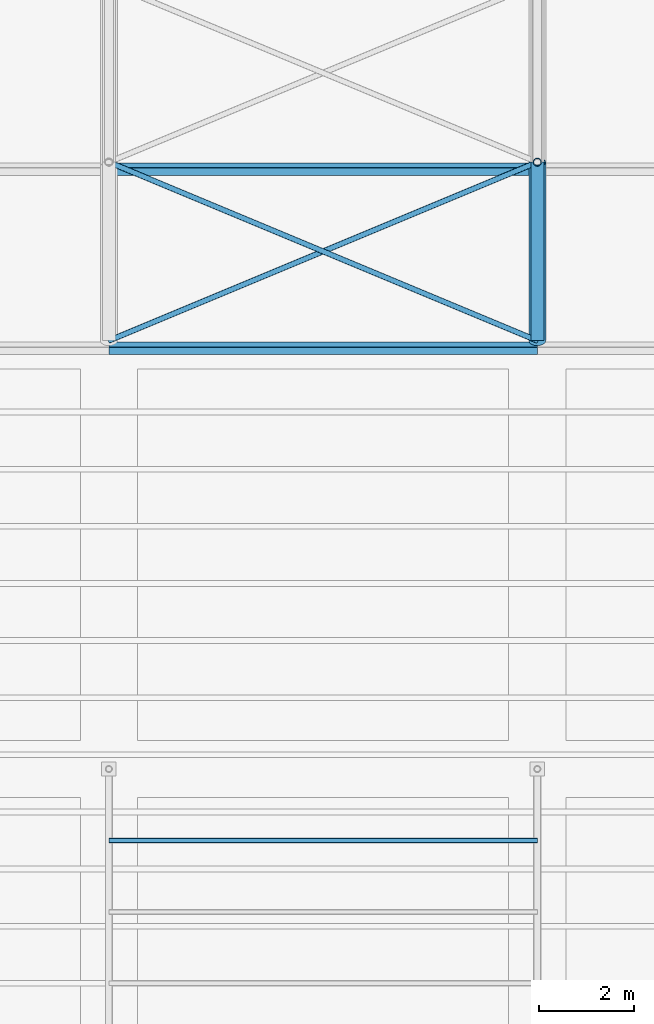
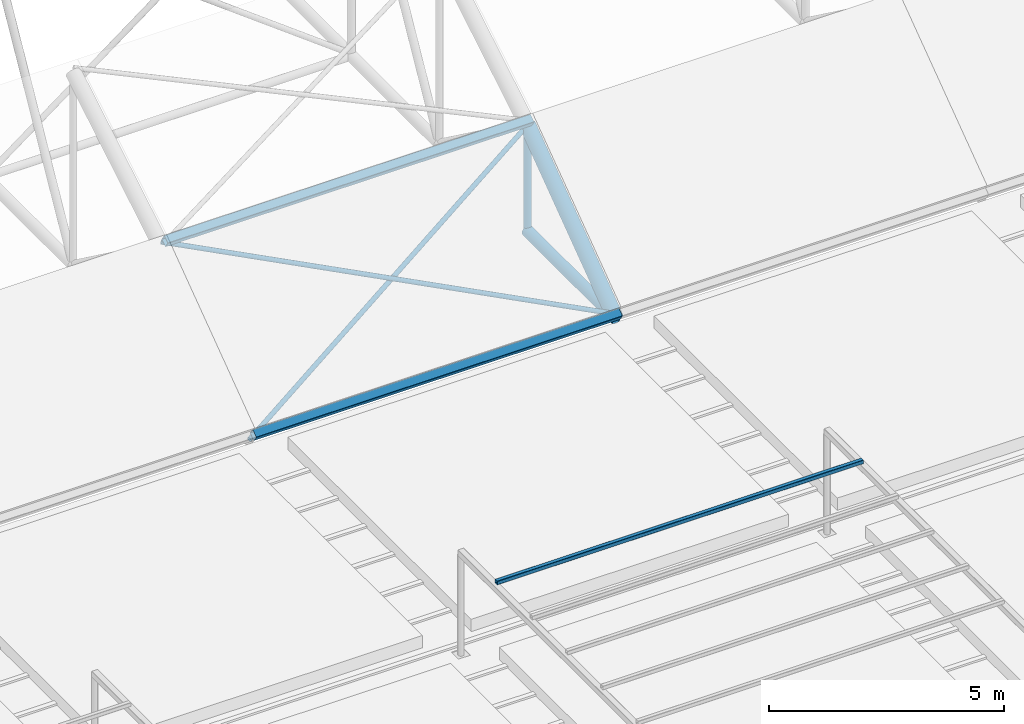
# One storey, part 23 of 153: 8 members.
"""IFC4 building model written with IfcOpenShell, lengths in metres."""

from ifc_helpers import new_model, si_unit, direction, frame, origin, origin_2d, place, context, subcontext, project, spatial, hollow_rectangle, hollow_circle, extrude, material, material_profile, profile_set, type_object, element, save


model = new_model("IFC4")

# Units and contexts
model_context = context("Model", 3, precision=1e-05, world=origin(), true_north=direction((0.0, 1.0)))
body_context = subcontext(model_context, "Body", "Model", "MODEL_VIEW")
ifc_project = project(units=[si_unit("LENGTHUNIT", "METRE"), si_unit("AREAUNIT", "SQUARE_METRE"), si_unit("VOLUMEUNIT", "CUBIC_METRE"), si_unit("PLANEANGLEUNIT", "RADIAN"), si_unit("MASSUNIT", "GRAM", prefix="KILO")], contexts=[model_context])

# Site, building, storey
site_placement = place(None, origin())
site = spatial("IfcSite", under=ifc_project, at=site_placement, CompositionType="ELEMENT")
building_placement = place(site_placement, origin())
building = spatial("IfcBuilding", under=site, at=building_placement, Name="Baradari Gate Terminus", CompositionType="ELEMENT")
storey_placement = place(building_placement, frame((0.0, 0.0, 11.699951171875)))
storey = spatial("IfcBuildingStorey", under=building, at=storey_placement, Name="L02", CompositionType="ELEMENT", Elevation=11.699951171875)

# Members
ifc_material_1 = material(Name="Steel S355", Category="steel")
ifc_material_profile_1 = material_profile(ifc_material_1, hollow_rectangle(XDim=0.10009765625, YDim=0.10009765625, WallThickness=0.00634765625, InnerFilletRadius=0.00634765625, OuterFilletRadius=0.0126953125, at=origin_2d()), Name="SHS 100x100x6.3")
ifc_profile_set_1 = profile_set([ifc_material_profile_1], Name="Steel S355")
member_type_1 = type_object("IfcMemberType", Name="Pergola rafter SHS 100x100x6.3", PredefinedType="STRINGER", material=ifc_profile_set_1)
member_1_placement = place(storey_placement, frame((117.0, 25.5, 2.800048828125), z_axis=(1.0, 0.0, 0.0), x_axis=(0.0, 1.0, 0.0)))
element("IfcMember", 1, at=member_1_placement, inside=storey, type_object=member_type_1, Name="RF/L02/PGS2-PGR5", PredefinedType="STRINGER", context=body_context, shape_type="SweptSolid", body=[
    extrude(hollow_rectangle(XDim=0.10009765625, YDim=0.10009765625, WallThickness=0.00634765625, InnerFilletRadius=0.00634765625, OuterFilletRadius=0.0126953125, at=origin_2d()), origin(), (0.0, 0.0, 1.0), 9.0),
])
ifc_material_2 = material(Name="Steel S355", Category="steel")
ifc_material_profile_2 = material_profile(ifc_material_2, hollow_circle(Radius=0.136474609375, WallThickness=0.012451171875, at=origin_2d()), Name="CHS 273x12.5")
ifc_profile_set_2 = profile_set([ifc_material_profile_2], Name="Steel S355")
member_type_2 = type_object("IfcMemberType", Name="Shed bottom chord CHS 273x12.5", PredefinedType="CHORD", material=ifc_profile_set_2)
member_2_placement = place(storey_placement, frame((126.0, 36.0, 0.136474609375), z_axis=(0.0, 1.0, 0.0), x_axis=(-1.0, 0.0, 0.0)))
element("IfcMember", 2, at=member_2_placement, inside=storey, type_object=member_type_2, Name="TR/L02/S126-BC00", PredefinedType="CHORD", context=body_context, shape_type="SweptSolid", body=[
    extrude(hollow_circle(Radius=0.136474609375, WallThickness=0.012451171875, at=origin_2d()), origin(), (0.0, 0.0, 1.0), 3.75),
])
ifc_material_3 = material(Name="Steel S355", Category="steel")
ifc_material_profile_3 = material_profile(ifc_material_3, hollow_rectangle(XDim=0.199951171875, YDim=0.199951171875, WallThickness=0.008056640625, InnerFilletRadius=0.008056640625, OuterFilletRadius=0.01611328125, at=origin_2d()), Name="SHS 200x200x8")
ifc_profile_set_3 = profile_set([ifc_material_profile_3], Name="Steel S355")
member_type_3 = type_object("IfcMemberType", Name="Shed purlin SHS 200x200x8", PredefinedType="PURLIN", material=ifc_profile_set_3)
for number, where, z_axis, x_axis, name in (
    (3, (117.0, 35.8427734375, 0.350830078125), (1.0, 0.0, 0.0), (0.0, 0.80640499586, 0.591363663621), "TR/L02/B126-PU00"),
    (4, (117.0, 39.602783203125, 3.10791015625), (1.0, 0.0, 0.0), (0.0, 0.832836263724, 0.55351942859), "TR/L02/B126-PU01"),
):
    element("IfcMember", number, at=place(storey_placement, frame(where, z_axis=z_axis, x_axis=x_axis)), inside=storey, type_object=member_type_3, Name=name, PredefinedType="PURLIN", context=body_context, shape_type="SweptSolid", body=[
        extrude(hollow_rectangle(XDim=0.199951171875, YDim=0.199951171875, WallThickness=0.008056640625, InnerFilletRadius=0.008056640625, OuterFilletRadius=0.01611328125, at=origin_2d()), origin(), (0.0, 0.0, 1.0), 9.0),
    ])
ifc_material_4 = material(Name="Steel S355", Category="steel")
ifc_material_profile_4 = material_profile(ifc_material_4, hollow_circle(Radius=0.05712890625, WallThickness=0.00634765625, at=origin_2d()), Name="CHS 114.3x6.3")
ifc_profile_set_4 = profile_set([ifc_material_profile_4], Name="Steel S355")
member_type_4 = type_object("IfcMemberType", Name="Shed roof brace CHS 114.3x6.3", PredefinedType="BRACE", material=ifc_profile_set_4)
for number, where, z_axis, x_axis, name in (
    (5, (117.0, 36.0, 0.136474609375), (0.888415085526, 0.370172952302, 0.271460165022), (-0.384615384615, 0.923076923077, 0.0), "TR/L02/B126-RB00A"),
    (6, (126.0, 36.0, 0.250732421875), (-0.888415085526, 0.370172952302, 0.271460165022), (-0.384615384615, -0.923076923077, 0.0), "TR/L02/B126-RB00B"),
):
    element("IfcMember", number, at=place(storey_placement, frame(where, z_axis=z_axis, x_axis=x_axis)), inside=storey, type_object=member_type_4, Name=name, PredefinedType="BRACE", context=body_context, shape_type="SweptSolid", body=[
        extrude(hollow_circle(Radius=0.05712890625, WallThickness=0.00634765625, at=origin_2d()), origin(), (0.0, 0.0, 1.0), 10.13037109375),
    ])
ifc_material_5 = material(Name="Steel S355", Category="steel")
ifc_material_profile_5 = material_profile(ifc_material_5, hollow_circle(Radius=0.177734375, WallThickness=0.01611328125, at=origin_2d()), Name="CHS 355.6x16")
ifc_profile_set_5 = profile_set([ifc_material_profile_5], Name="Steel S355")
member_type_5 = type_object("IfcMemberType", Name="Shed top chord CHS 355.6x16", PredefinedType="CHORD", material=ifc_profile_set_5)
member_3_placement = place(storey_placement, frame((126.0, 36.0, 0.136474609375), z_axis=(0.0, 0.806404995856, 0.591363663628), x_axis=(-1.0, 0.0, 0.0)))
element("IfcMember", 7, at=member_3_placement, inside=storey, type_object=member_type_5, Name="TR/L02/S126-TC00", PredefinedType="CHORD", context=body_context, shape_type="SweptSolid", body=[
    extrude(hollow_circle(Radius=0.177734375, WallThickness=0.01611328125, at=origin_2d()), origin(), (0.0, 0.0, 1.0), 4.650390625),
])
ifc_material_6 = material(Name="Steel S355", Category="steel")
ifc_material_profile_6 = material_profile(ifc_material_6, hollow_circle(Radius=0.084228515625, WallThickness=0.008056640625, at=origin_2d()), Name="CHS 168.3x8")
ifc_profile_set_6 = profile_set([ifc_material_profile_6], Name="Steel S355")
member_type_6 = type_object("IfcMemberType", Name="Shed truss post CHS 168.3x8", PredefinedType="POST", material=ifc_profile_set_6)
member_4_placement = place(storey_placement, frame((126.0, 39.75, 0.136474609375), z_axis=(0.0, 0.0, 1.0), x_axis=(1.0, 0.0, 0.0)))
element("IfcMember", 8, at=member_4_placement, inside=storey, type_object=member_type_6, Name="TR/L02/S126-SP01", PredefinedType="POST", context=body_context, shape_type="SweptSolid", body=[
    extrude(hollow_circle(Radius=0.084228515625, WallThickness=0.008056640625, at=origin_2d()), origin(), (0.0, 0.0, 1.0), 2.75),
])

save(model, "model.ifc")
